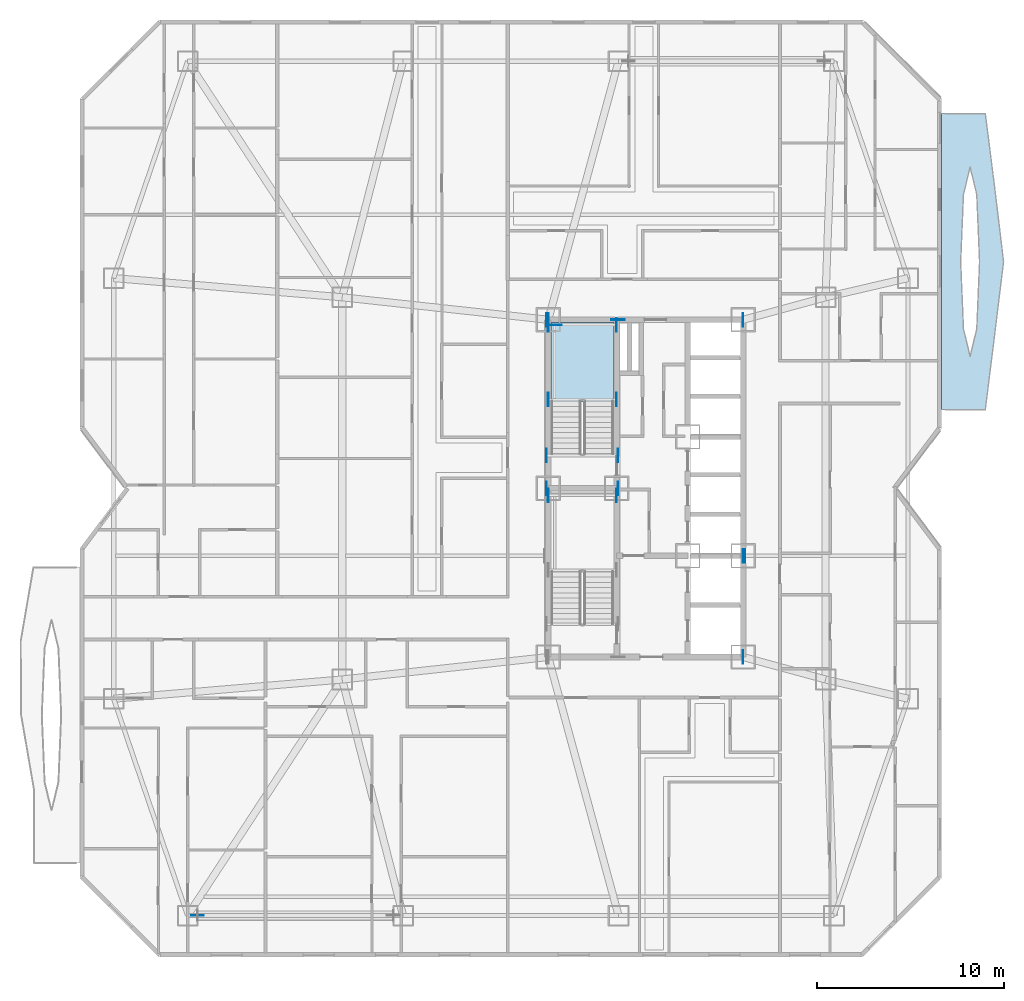
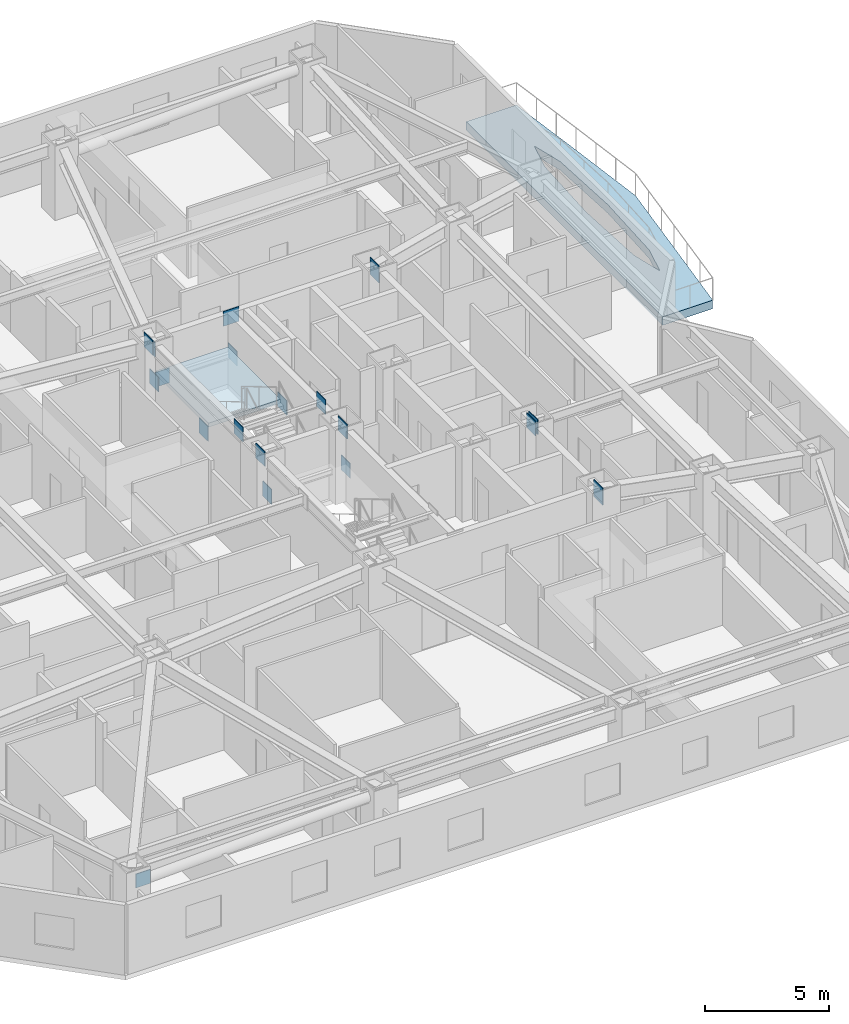
# One storey, part 4 of 17: 21 plates, 2 slabs, 1 element without a shape of its own.
"""IFC4 building model written with IfcOpenShell, lengths in metres."""

from ifc_helpers import new_model, si_unit, direction, frame, origin, origin_2d, place, context, subcontext, project, spatial, polyline, rectangle, outline, extrude, material, layer, layer_set, type_object, element, aggregate, save


model = new_model("IFC4")

# Units and contexts
model_context = context("Model", 3, precision=1e-05, world=origin(), true_north=direction((0.0, 1.0)))
body_context = subcontext(model_context, "Body", "Model", "MODEL_VIEW")
ifc_project = project(units=[si_unit("LENGTHUNIT", "METRE"), si_unit("AREAUNIT", "SQUARE_METRE"), si_unit("VOLUMEUNIT", "CUBIC_METRE"), si_unit("PLANEANGLEUNIT", "RADIAN"), si_unit("MASSUNIT", "GRAM", prefix="KILO")], contexts=[model_context])

# Site, building, storey
site_placement = place(None, origin())
site = spatial("IfcSite", under=ifc_project, at=site_placement, CompositionType="ELEMENT")
building_placement = place(site_placement, origin())
building = spatial("IfcBuilding", under=site, at=building_placement, Name="Khamvora Tower", CompositionType="ELEMENT")
storey_placement = place(building_placement, frame((0.0, 0.0, 44.25)))
storey = spatial("IfcBuildingStorey", under=building, at=storey_placement, Name="L10", CompositionType="ELEMENT", Elevation=44.25)

# Plates
ifc_material_1 = material(Name="Steel S460", Category="steel")
ifc_layer_1 = layer(ifc_material_1, 0.034912109375)
ifc_layer_set_1 = layer_set([ifc_layer_1], Name="Steel S460")
plate_type_1 = type_object("IfcPlateType", Name="PL-EMB-35", PredefinedType="SHEET", material=ifc_layer_set_1)
for number, where, z_axis, x_axis, name in (
    (1, (29.0, 27.6298828125, 1.1337890625), (0.0, 0.0, 1.0), (1.0, 0.0, 0.0), "L10 core shear wall cast-in embed plate 0312"),
    (2, (32.64990234375, 27.6298828125, 1.1337890625), (0.0, 0.0, 1.0), (1.0, 0.0, 0.0), "L10 core shear wall cast-in embed plate 0313"),
    (3, (29.0, 32.735107421875, 1.1337890625), (0.0, 0.0, 1.0), (1.0, 0.0, 0.0), "L10 core shear wall cast-in embed plate 0314"),
    (4, (32.64990234375, 32.735107421875, 1.1337890625), (0.0, 0.0, 1.0), (1.0, 0.0, 0.0), "L10 core shear wall cast-in embed plate 0315"),
    (5, (29.0, 36.72998046875, 1.1337890625), (0.0, 0.0, 1.0), (1.0, 0.0, 0.0), "L10 core shear wall cast-in embed plate 0316"),
    (6, (32.64990234375, 36.72998046875, 1.1337890625), (0.0, 0.0, 1.0), (1.0, 0.0, 0.0), "L10 core shear wall cast-in embed plate 0317"),
):
    element("IfcPlate", number, at=place(storey_placement, frame(where, z_axis=z_axis, x_axis=x_axis)), inside=storey, type_object=plate_type_1, Name=name, PredefinedType="SHEET", context=body_context, shape_type="SweptSolid", body=[
        extrude(rectangle(XDim=0.034912109375, YDim=0.719970703125, at=origin_2d()), origin(), (0.0, 0.0, 1.0), 0.719970703125),
    ])
plate_1_placement = place(storey_placement, frame((29.35009765625, 36.72998046875, 1.1337890625), z_axis=(0.0, 0.0, 1.0), x_axis=(1.0, 0.0, 0.0)))
element("IfcPlate", 7, at=plate_1_placement, inside=storey, type_object=plate_type_1, Name="L10 core shear wall cast-in embed plate 0318", PredefinedType="SHEET", context=body_context, shape_type="SweptSolid", body=[
    extrude(rectangle(XDim=0.719970703125, YDim=0.034912109375, at=origin_2d()), origin(), (0.0, 0.0, 1.0), 0.719970703125),
])
for number, where, z_axis, x_axis, name in (
    (8, (29.0, 37.0, 2.68408203125), (0.0, 0.0, 1.0), (1.0, 0.0, 0.0), "L10 core shear wall cast-in embed plate 0320"),
    (9, (39.39990234375, 19.0, 2.68408203125), (0.0, 0.0, 1.0), (1.0, 0.0, 0.0), "L10 core shear wall cast-in embed plate 0321"),
    (10, (39.39990234375, 37.0, 2.68408203125), (0.0, 0.0, 1.0), (1.0, 0.0, 0.0), "L10 core shear wall cast-in embed plate 0322"),
    (11, (28.89990234375, 28.0, 2.80322265625), (0.0, 0.0, 1.0), (1.0, 0.0, 0.0), "L10 core shear wall cast-in embed plate 0324"),
    (12, (28.89990234375, 37.0, 2.80322265625), (0.0, 0.0, 1.0), (1.0, 0.0, 0.0), "L10 core shear wall cast-in embed plate 0325"),
    (13, (32.72998046875, 28.0, 2.80322265625), (0.0, 0.0, 1.0), (1.0, 0.0, 0.0), "L10 core shear wall cast-in embed plate 0327"),
):
    element("IfcPlate", number, at=place(storey_placement, frame(where, z_axis=z_axis, x_axis=x_axis)), inside=storey, type_object=plate_type_1, Name=name, PredefinedType="SHEET", context=body_context, shape_type="SweptSolid", body=[
        extrude(rectangle(XDim=0.034912109375, YDim=0.719970703125, at=origin_2d()), origin(), (0.0, 0.0, 1.0), 0.719970703125),
    ])
plate_2_placement = place(storey_placement, frame((32.72998046875, 37.0, 2.80322265625), z_axis=(0.0, 0.0, 1.0), x_axis=(1.0, 0.0, 0.0)))
element("IfcPlate", 14, at=plate_2_placement, inside=storey, type_object=plate_type_1, Name="L10 core shear wall cast-in embed plate 0328", PredefinedType="SHEET", context=body_context, shape_type="SweptSolid", body=[
    extrude(rectangle(XDim=0.719970703125, YDim=0.034912109375, at=origin_2d()), origin(), (0.0, 0.0, 1.0), 0.719970703125),
])
for number, where, z_axis, x_axis, name in (
    (15, (39.39990234375, 19.0, 2.80322265625), (0.0, 0.0, 1.0), (1.0, 0.0, 0.0), "L10 core shear wall cast-in embed plate 0329"),
    (16, (39.39990234375, 24.39990234375, 2.80322265625), (0.0, 0.0, 1.0), (1.0, 0.0, 0.0), "L10 core shear wall cast-in embed plate 0330"),
    (17, (39.39990234375, 37.0, 2.80322265625), (0.0, 0.0, 1.0), (1.0, 0.0, 0.0), "L10 core shear wall cast-in embed plate 0331"),
    (18, (28.89990234375, 29.75, 2.94384765625), (0.0, 0.0, 1.0), (1.0, 0.0, 0.0), "L10 core shear wall cast-in embed plate 0334"),
    (19, (32.72998046875, 29.75, 2.94384765625), (0.0, 0.0, 1.0), (1.0, 0.0, 0.0), "L10 core shear wall cast-in embed plate 0335"),
    (20, (39.4990234375, 24.39990234375, 2.8388671875), (0.0, 0.0, 1.0), (1.0, 0.0, 0.0), "L10 core shear wall cast-in embed plate 0337"),
):
    element("IfcPlate", number, at=place(storey_placement, frame(where, z_axis=z_axis, x_axis=x_axis)), inside=storey, type_object=plate_type_1, Name=name, PredefinedType="SHEET", context=body_context, shape_type="SweptSolid", body=[
        extrude(rectangle(XDim=0.034912109375, YDim=0.719970703125, at=origin_2d()), origin(), (0.0, 0.0, 1.0), 0.719970703125),
    ])
ifc_layer_2 = layer(ifc_material_1, 0.0400390625)
ifc_layer_set_2 = layer_set([ifc_layer_2], Name="Steel S460")
plate_type_2 = type_object("IfcPlateType", Name="PLT-GUS-40", PredefinedType="SHEET", material=ifc_layer_set_2)
plate_3_placement = place(storey_placement, frame((10.280029296875, 5.199951171875, 2.35986328125), z_axis=(0.0, 0.0, 1.0), x_axis=(1.0, 0.0, 0.0)))
element("IfcPlate", 21, at=plate_3_placement, inside=storey, type_object=plate_type_2, Name="L10 brace connection node gusset plate 0085", PredefinedType="SHEET", context=body_context, shape_type="SweptSolid", body=[
    extrude(rectangle(XDim=0.679931640625, YDim=0.0400390625, at=origin_2d()), origin(), (0.0, 0.0, 1.0), 0.679931640625),
])

# Slab
ifc_material_2 = material(Name="Concrete C40/50", Category="concrete")
ifc_layer_3 = layer(ifc_material_2, 0.419921875)
ifc_layer_set_3 = layer_set([ifc_layer_3], Name="Concrete C40/50")
slab_type_1 = type_object("IfcSlabType", Name="SLB-GRD-420", PredefinedType="FLOOR", material=ifc_layer_set_3)
slab_1_placement = place(storey_placement, frame((0.0, 0.0, -0.419921875)))
element("IfcSlab", 22, at=slab_1_placement, inside=storey, type_object=slab_type_1, Name="L10 external lens gallery slab EL2", PredefinedType="FLOOR", context=body_context, shape_type="SweptSolid", body=[
    extrude(outline(polyline([(52.324951171875, 32.199951171875), (52.81689453125, 36.14990234375), (53.300048828125, 40.10009765625), (52.826904296875, 44.050048828125), (52.325927734375, 48.0), (50.0, 48.0), (50.0, 32.199951171875), (52.324951171875, 32.199951171875)]), holes=[polyline([(52.01904296875, 40.10009765625), (51.87109375, 43.675048828125), (51.514892578125, 45.156005859375), (51.158935546875, 43.675048828125), (51.010986328125, 40.10009765625), (51.158935546875, 36.52490234375), (51.514892578125, 35.0439453125), (51.87109375, 36.52490234375), (52.01904296875, 40.10009765625)])]), origin(), (0.0, 0.0, 1.0), 0.419921875),
])

# Stair, slab
stair_type = type_object("IfcStairType", Name="STR-ST-02", PredefinedType="HALF_TURN_STAIR", material=ifc_material_2)
stair_placement = place(storey_placement, origin())
stair = element("IfcStair", 23, at=stair_placement, inside=storey, type_object=stair_type, Name="L10 North Tower Exit Stair ST-02", PredefinedType="HALF_TURN_STAIR")
ifc_layer_4 = layer(ifc_material_2, 0.199951171875)
ifc_layer_set_4 = layer_set([ifc_layer_4], Name="Concrete C40/50")
slab_type_2 = type_object("IfcSlabType", Name="SLB-LND-200", PredefinedType="LANDING", material=ifc_layer_set_4)
slab_2_placement = place(storey_placement, frame((0.0, 0.0, 1.625)))
slab_2 = element("IfcSlab", 24, at=slab_2_placement, type_object=slab_type_2, Name="ST-02 landing 1", PredefinedType="LANDING", context=body_context, shape_type="SweptSolid", body=[
    extrude(outline(polyline([(32.5, 32.614990234375), (32.5, 36.85009765625), (29.14990234375, 36.85009765625), (29.14990234375, 32.614990234375), (32.5, 32.614990234375)])), origin(), (0.0, 0.0, 1.0), 0.199951171875),
])
aggregate(stair, [slab_2])

save(model, "model.ifc")
